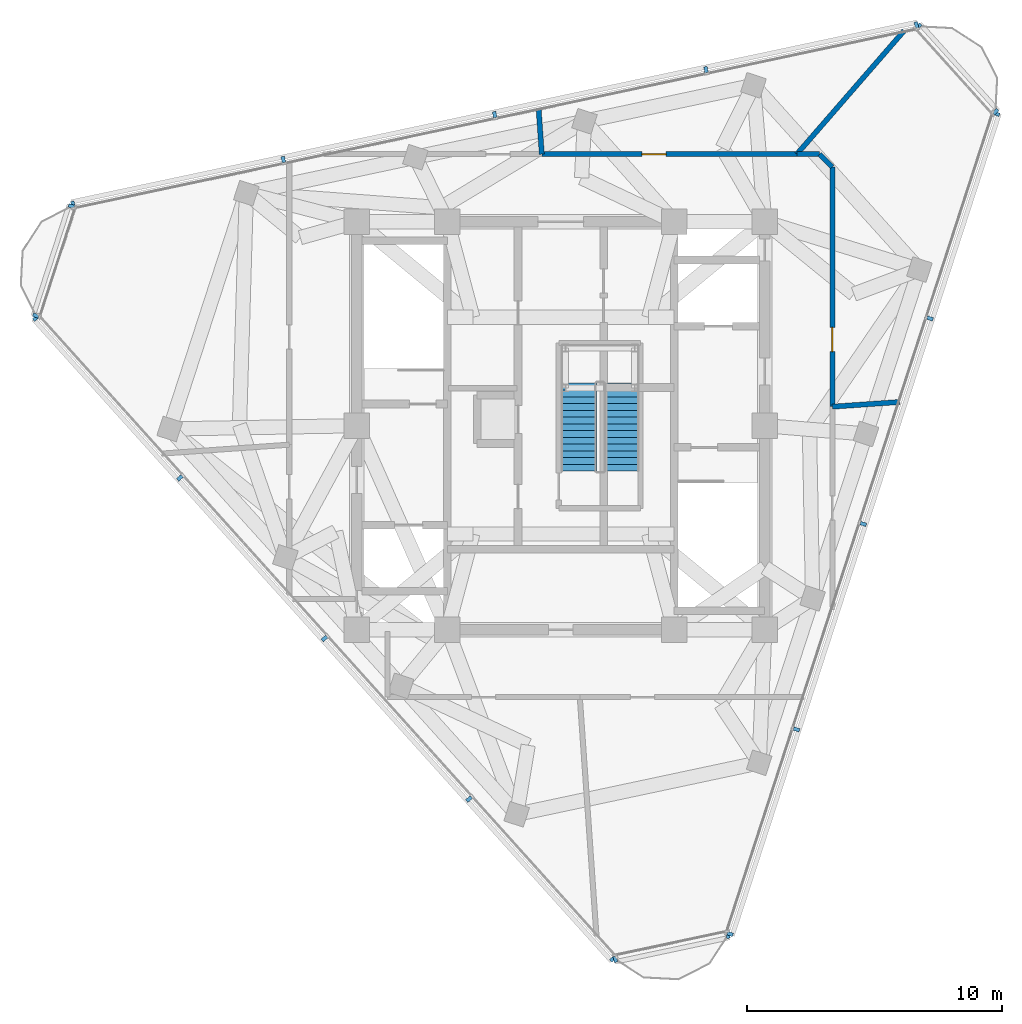
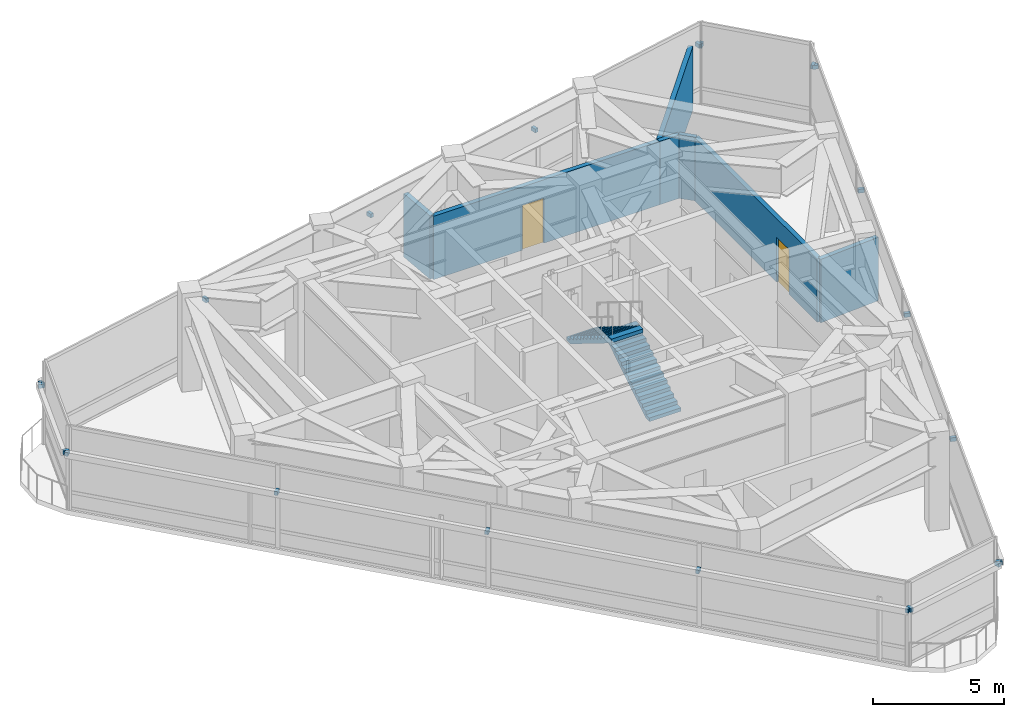
# One storey, part 8 of 11: 21 discrete accessories, 7 walls, 2 doors, 2 stair flights, 2 openings, 1 element without a shape of its own.
"""IFC4 building model written with IfcOpenShell, lengths in metres."""

from ifc_helpers import new_model, si_unit, direction, frame, frame_2d, origin, origin_2d, place, context, subcontext, project, spatial, polyline, rectangle, outline, extrude, material, layer, layer_set, type_object, element, fill, aggregate, save


model = new_model("IFC4")

# Units and contexts
model_context = context("Model", 3, precision=1e-05, world=origin(), true_north=direction((0.0, 1.0)))
body_context = subcontext(model_context, "Body", "Model", "MODEL_VIEW")
ifc_project = project(units=[si_unit("LENGTHUNIT", "METRE"), si_unit("AREAUNIT", "SQUARE_METRE"), si_unit("VOLUMEUNIT", "CUBIC_METRE"), si_unit("PLANEANGLEUNIT", "RADIAN"), si_unit("MASSUNIT", "GRAM", prefix="KILO")], contexts=[model_context])

# Site, building, storey
site_placement = place(None, origin())
site = spatial("IfcSite", under=ifc_project, at=site_placement, CompositionType="ELEMENT")
building_placement = place(site_placement, origin())
building = spatial("IfcBuilding", under=site, at=building_placement, Name="Terralouvre Media Tower", CompositionType="ELEMENT")
storey_placement = place(building_placement, frame((0.0, 0.0, 322.0)))
storey = spatial("IfcBuildingStorey", under=building, at=storey_placement, Name="L83", CompositionType="ELEMENT", Elevation=322.0)

# Wall, opening, door
ifc_material_1 = material(Name="Fire-rated gypsum board drywall partition")
ifc_layer = layer(ifc_material_1, 0.199951171875, Name="Fire-Rated Shaft and Lobby Partition FW-200")
ifc_layer_set = layer_set([ifc_layer], Name="Fire-rated gypsum board drywall partition")
wall_type = type_object("IfcWallType", Name="Fire-Rated Shaft and Lobby Partition FW-200", PredefinedType="SOLIDWALL", material=ifc_layer_set)
wall_1_placement = place(storey_placement, frame((10.64990234375, 0.7451171875, 0.0), z_axis=(0.0, 0.0, 1.0), x_axis=(0.0, 1.0, 0.0)))
wall_1 = element("IfcWall", 1, at=wall_1_placement, inside=storey, type_object=wall_type, Name="L83 Interior Partition 007", PredefinedType="SOLIDWALL", context=body_context, shape_type="SweptSolid", body=[
    extrude(rectangle(XDim=9.40478515625, YDim=0.199951171875, at=frame_2d((4.702392578125, 0.0))), origin(), (0.0, 0.0, 1.0), 2.965087890625),
])
opening_1_placement = place(wall_1_placement, frame((2.158447265625, 0.0, 0.0)))
opening_1 = element("IfcOpeningElement", 2, at=opening_1_placement, cuts=wall_1, Name="Opening FD-02-95X210", PredefinedType="OPENING", context=body_context, shape_type="SweptSolid", body=[
    extrude(rectangle(XDim=0.949951171875, YDim=2.10009765625, at=frame_2d((0.47509765625, 1.050048828125))), frame((0.0, 0.10986328125, 0.0), z_axis=(0.0, -1.0, 0.0), x_axis=(1.0, 0.0, 0.0)), (0.0, 0.0, 1.0), 0.219970703125),
])
ifc_material_2 = material(Name="Galvanised steel fire-resisting leaf", Category="steel")
door_type = type_object("IfcDoorType", Name="Plant and Riser Fire Door FD-02 (950x2100)", OperationType="NOTDEFINED", PredefinedType="DOOR", material=ifc_material_2)
door_1_placement = place(opening_1_placement, origin())
door_1 = element("IfcDoor", 3, at=door_1_placement, inside=storey, type_object=door_type, Name="L83 L83 Broadcast Uplink Transmitter Cooling Plant Room Door", OperationType="SINGLE_SWING_RIGHT", OverallHeight=2.10009765625, OverallWidth=0.949951171875, PredefinedType="DOOR", context=body_context, shape_type="SweptSolid", body=[
    extrude(rectangle(XDim=0.949951171875, YDim=2.10009765625, at=frame_2d((0.47509765625, 1.050048828125))), frame((0.0, 0.02490234375, 0.0), z_axis=(0.0, -1.0, 0.0), x_axis=(1.0, 0.0, 0.0)), (0.0, 0.0, 1.0), 0.050048828125),
])
fill(opening_1, door_1)

# Walls
wall_2_placement = place(storey_placement, frame((10.64990234375, 10.14990234375, 0.0), z_axis=(0.0, 0.0, 1.0), x_axis=(-0.707106781187, 0.707106781187, 0.0)))
element("IfcWall", 4, at=wall_2_placement, inside=storey, type_object=wall_type, Name="L83 Interior Partition 008", PredefinedType="SOLIDWALL", context=body_context, shape_type="SweptSolid", body=[
    extrude(rectangle(XDim=0.70703125, YDim=0.199951171875, at=frame_2d((0.353515625, 0.0))), origin(), (0.0, 0.0, 1.0), 2.965087890625),
])
wall_3_placement = place(storey_placement, frame((10.14990234375, 10.64990234375, 0.0), z_axis=(0.0, 0.0, 1.0), x_axis=(-1.0, 0.0, 0.0)))
element("IfcWall", 5, at=wall_3_placement, inside=storey, type_object=wall_type, Name="L83 Interior Partition 009", PredefinedType="SOLIDWALL", context=body_context, shape_type="SweptSolid", body=[
    extrude(rectangle(XDim=0.891845703125, YDim=0.199951171875, at=frame_2d((0.44580078125, 0.0))), origin(), (0.0, 0.0, 1.0), 2.965087890625),
])

# Wall, opening, door
wall_4_placement = place(storey_placement, frame((9.258056640625, 10.64990234375, 0.0), z_axis=(0.0, 0.0, 1.0), x_axis=(-1.0, 0.0, 0.0)))
wall_4 = element("IfcWall", 6, at=wall_4_placement, inside=storey, type_object=wall_type, Name="L83 Interior Partition 010", PredefinedType="SOLIDWALL", context=body_context, shape_type="SweptSolid", body=[
    extrude(rectangle(XDim=10.003173828125, YDim=0.199951171875, at=frame_2d((5.00146484375, 0.0))), origin(), (0.0, 0.0, 1.0), 2.965087890625),
])
opening_2_placement = place(wall_4_placement, frame((5.126708984375, 0.0, 0.0)))
opening_2 = element("IfcOpeningElement", 7, at=opening_2_placement, cuts=wall_4, Name="Opening FD-02-95X210", PredefinedType="OPENING", context=body_context, shape_type="SweptSolid", body=[
    extrude(rectangle(XDim=0.949951171875, YDim=2.10009765625, at=frame_2d((0.47509765625, 1.050048828125))), frame((0.0, 0.10986328125, 0.0), z_axis=(0.0, -1.0, 0.0), x_axis=(1.0, 0.0, 0.0)), (0.0, 0.0, 1.0), 0.219970703125),
])
door_2_placement = place(opening_2_placement, origin())
door_2 = element("IfcDoor", 8, at=door_2_placement, inside=storey, type_object=door_type, Name="L83 L83 Microwave Relay UPS Battery Plant Room Door", OperationType="SINGLE_SWING_LEFT", OverallHeight=2.10009765625, OverallWidth=0.949951171875, PredefinedType="DOOR", context=body_context, shape_type="SweptSolid", body=[
    extrude(rectangle(XDim=0.949951171875, YDim=2.10009765625, at=frame_2d((0.47509765625, 1.050048828125))), frame((0.0, 0.02490234375, 0.0), z_axis=(0.0, -1.0, 0.0), x_axis=(1.0, 0.0, 0.0)), (0.0, 0.0, 1.0), 0.050048828125),
])
fill(opening_2, door_2)

# Walls
wall_5_placement = place(storey_placement, frame((13.294189453125, 0.929931640625, 0.0), z_axis=(0.0, 0.0, 1.0), x_axis=(-0.997566467823, -0.069721892359, 0.0)))
element("IfcWall", 9, at=wall_5_placement, inside=storey, type_object=wall_type, Name="L83 Interior Partition 015", PredefinedType="SOLIDWALL", context=body_context, shape_type="SweptSolid", body=[
    extrude(rectangle(XDim=2.650634765625, YDim=0.199951171875, at=frame_2d((1.3251953125, 0.0))), origin(), (0.0, 0.0, 1.0), 2.965087890625),
])
wall_6_placement = place(storey_placement, frame((13.469482421875, 15.4951171875, 0.0), z_axis=(0.0, 0.0, 1.0), x_axis=(-0.656018638206, -0.754744689498, 0.0)))
element("IfcWall", 10, at=wall_6_placement, inside=storey, type_object=wall_type, Name="L83 Interior Partition 016", PredefinedType="SOLIDWALL", context=body_context, shape_type="SweptSolid", body=[
    extrude(rectangle(XDim=6.419677734375, YDim=0.199951171875, at=frame_2d((3.2099609375, 0.0))), origin(), (0.0, 0.0, 1.0), 2.965087890625),
])
wall_7_placement = place(storey_placement, frame((-0.870849609375, 12.447021484375, 0.0), z_axis=(0.0, 0.0, 1.0), x_axis=(0.069792715716, -0.997561515313, 0.0)))
element("IfcWall", 11, at=wall_7_placement, inside=storey, type_object=wall_type, Name="L83 Interior Partition 017", PredefinedType="SOLIDWALL", context=body_context, shape_type="SweptSolid", body=[
    extrude(rectangle(XDim=1.801513671875, YDim=0.199951171875, at=frame_2d((0.90087890625, 0.0))), origin(), (0.0, 0.0, 1.0), 2.965087890625),
])

# Stair, stair flights
ifc_material_3 = material(Name="Concrete C45/55", Category="concrete")
stair_type = type_object("IfcStairType", Name="Dogleg Stair Assembly ST-05", PredefinedType="HALF_TURN_STAIR", material=ifc_material_3)
stair_placement = place(storey_placement, origin())
stair = element("IfcStair", 12, at=stair_placement, inside=storey, type_object=stair_type, Name="L83 Crown Maintenance Stair ST-05", PredefinedType="HALF_TURN_STAIR")
ifc_material_4 = material(Name="Concrete C45/55", Category="concrete")
stair_flight_type = type_object("IfcStairFlightType", Name="Reinforced Concrete Stair Flight SF-RC1", PredefinedType="STRAIGHT", material=ifc_material_4)
stair_flight_1_placement = place(storey_placement, frame((2.3798828125, -1.780029296875, 0.0), z_axis=(0.0, 0.0, 1.0), x_axis=(0.0, 1.0, 0.0)))
stair_flight_1 = element("IfcStairFlight", 13, at=stair_flight_1_placement, type_object=stair_flight_type, Name="ST-05 flight 1", NumberOfRisers=14, NumberOfTreads=13, PredefinedType="STRAIGHT", RiserHeight=0.164285714, TreadLength=0.265, context=body_context, shape_type="SweptSolid", body=[
    extrude(outline(polyline([(0.0, 0.0), (0.0, 0.164306640625), (0.264892578125, 0.164306640625), (0.264892578125, 0.32861328125), (0.530029296875, 0.32861328125), (0.530029296875, 0.492919921875), (0.794921875, 0.492919921875), (0.794921875, 0.6572265625), (1.06005859375, 0.6572265625), (1.06005859375, 0.821533203125), (1.324951171875, 0.821533203125), (1.324951171875, 0.985595703125), (1.590087890625, 0.985595703125), (1.590087890625, 1.14990234375), (1.85498046875, 1.14990234375), (1.85498046875, 1.314208984375), (2.1201171875, 1.314208984375), (2.1201171875, 1.478515625), (2.385009765625, 1.478515625), (2.385009765625, 1.642822265625), (2.64990234375, 1.642822265625), (2.64990234375, 1.80712890625), (2.9150390625, 1.80712890625), (2.9150390625, 1.971435546875), (3.179931640625, 1.971435546875), (3.179931640625, 2.1357421875), (3.445068359375, 2.1357421875), (3.445068359375, 2.300048828125), (3.445068359375, 1.959228515625), (0.284423828125, 0.0), (0.0, 0.0)])), frame((0.0, 0.699951171875, 0.0), z_axis=(0.0, -1.0, 0.0), x_axis=(1.0, 0.0, 0.0)), (0.0, 0.0, 1.0), 1.39990234375),
])
stair_flight_2_placement = place(storey_placement, frame((0.699951171875, 1.6650390625, 2.300048828125), z_axis=(0.0, 0.0, 1.0), x_axis=(0.0, -1.0, 0.0)))
stair_flight_2 = element("IfcStairFlight", 14, at=stair_flight_2_placement, type_object=stair_flight_type, Name="ST-05 flight 2", NumberOfRisers=14, NumberOfTreads=13, PredefinedType="STRAIGHT", RiserHeight=0.164285714, TreadLength=0.265, context=body_context, shape_type="SweptSolid", body=[
    extrude(outline(polyline([(0.0, 0.0), (0.0, 0.164306640625), (0.264892578125, 0.164306640625), (0.264892578125, 0.32861328125), (0.530029296875, 0.32861328125), (0.530029296875, 0.492919921875), (0.794921875, 0.492919921875), (0.794921875, 0.6572265625), (1.06005859375, 0.6572265625), (1.06005859375, 0.821533203125), (1.324951171875, 0.821533203125), (1.324951171875, 0.985595703125), (1.590087890625, 0.985595703125), (1.590087890625, 1.14990234375), (1.85498046875, 1.14990234375), (1.85498046875, 1.314208984375), (2.1201171875, 1.314208984375), (2.1201171875, 1.478515625), (2.385009765625, 1.478515625), (2.385009765625, 1.642822265625), (2.64990234375, 1.642822265625), (2.64990234375, 1.80712890625), (2.9150390625, 1.80712890625), (2.9150390625, 1.971435546875), (3.179931640625, 1.971435546875), (3.179931640625, 2.1357421875), (3.445068359375, 2.1357421875), (3.445068359375, 2.300048828125), (3.445068359375, 1.959228515625), (0.284423828125, 0.0), (0.0, 0.0)])), frame((0.0, 0.699951171875, 0.0), z_axis=(0.0, -1.0, 0.0), x_axis=(1.0, 0.0, 0.0)), (0.0, 0.0, 1.0), 1.39990234375),
])
aggregate(stair, [stair_flight_1, stair_flight_2])

# Discrete accessories
ifc_material_5 = material(Name="Anodised extruded aluminium 6063-T6", Category="aluminium")
discrete_accessory_type = type_object("IfcDiscreteAccessoryType", Name="Mullion Stand-Off Baguette Fixing Bracket BK-01", PredefinedType="BRACKET", material=ifc_material_5)
for number, where, z_axis, x_axis, name in (
    (15, (6.63916015625, -19.940185546875, 2.61962890625), (0.0, 0.0, 1.0), (0.30901679585, 0.9510565808, 0.0), "CW-L83-F0 Baguette Outrigger Bracket 1.01"),
    (16, (9.24658203125, -11.91552734375, 2.61962890625), (0.0, 0.0, 1.0), (0.30901679585, 0.9510565808, 0.0), "CW-L83-F0 Baguette Outrigger Bracket 1.02"),
    (17, (11.865478515625, -3.855224609375, 2.61962890625), (0.0, 0.0, 1.0), (0.30901679585, 0.9510565808, 0.0), "CW-L83-F0 Baguette Outrigger Bracket 1.03"),
    (18, (14.484375, 4.204833984375, 2.61962890625), (0.0, 0.0, 1.0), (0.30901679585, 0.9510565808, 0.0), "CW-L83-F0 Baguette Outrigger Bracket 1.04"),
    (19, (17.091796875, 12.2294921875, 2.61962890625), (0.0, 0.0, 1.0), (0.30901679585, 0.9510565808, 0.0), "CW-L83-F0 Baguette Outrigger Bracket 1.05"),
    (20, (13.948974609375, 15.7197265625, 2.61962890625), (0.0, 0.0, 1.0), (-0.978147633966, -0.207911534473, 0.0), "CW-L83-F1 Baguette Outrigger Bracket 1.01"),
    (21, (5.69580078125, 13.965576171875, 2.61962890625), (0.0, 0.0, 1.0), (-0.978147633966, -0.207911534473, 0.0), "CW-L83-F1 Baguette Outrigger Bracket 1.02"),
    (22, (-2.593994140625, 12.203369140625, 2.61962890625), (0.0, 0.0, 1.0), (-0.978147633966, -0.207911534473, 0.0), "CW-L83-F1 Baguette Outrigger Bracket 1.03"),
    (23, (-10.8837890625, 10.44140625, 2.61962890625), (0.0, 0.0, 1.0), (-0.978147633966, -0.207911534473, 0.0), "CW-L83-F1 Baguette Outrigger Bracket 1.04"),
    (24, (-19.136962890625, 8.687255859375, 2.61962890625), (0.0, 0.0, 1.0), (-0.978147633966, -0.207911534473, 0.0), "CW-L83-F1 Baguette Outrigger Bracket 1.05"),
    (25, (-20.588134765625, 4.22021484375, 2.61962890625), (0.0, 0.0, 1.0), (0.669130640069, -0.743144795125, 0.0), "CW-L83-F2 Baguette Outrigger Bracket 1.01"),
    (26, (-14.9423828125, -2.050048828125, 2.61962890625), (0.0, 0.0, 1.0), (0.669130640069, -0.743144795125, 0.0), "CW-L83-F2 Baguette Outrigger Bracket 1.02"),
    (27, (-9.271484375, -8.34814453125, 2.61962890625), (0.0, 0.0, 1.0), (0.669130640069, -0.743144795125, 0.0), "CW-L83-F2 Baguette Outrigger Bracket 1.03"),
    (28, (-3.6005859375, -14.646240234375, 2.61962890625), (0.0, 0.0, 1.0), (0.669130640069, -0.743144795125, 0.0), "CW-L83-F2 Baguette Outrigger Bracket 1.04"),
    (29, (2.045166015625, -20.91650390625, 2.61962890625), (0.0, 0.0, 1.0), (0.669130640069, -0.743144795125, 0.0), "CW-L83-F2 Baguette Outrigger Bracket 1.05"),
    (30, (2.140869140625, -20.929443359375, 2.61962890625), (0.0, 0.0, 1.0), (0.97814770891, 0.207911181887, 0.0), "CW-L83-C0 Baguette Outrigger Bracket 1.01"),
    (31, (6.55712890625, -19.99072265625, 2.61962890625), (0.0, 0.0, 1.0), (0.97814770891, 0.207911181887, 0.0), "CW-L83-C0 Baguette Outrigger Bracket 1.02"),
    (32, (17.054931640625, 12.318603515625, 2.61962890625), (0.0, 0.0, 1.0), (-0.66913178706, 0.743143762368, 0.0), "CW-L83-C1 Baguette Outrigger Bracket 1.01"),
    (33, (14.033935546875, 15.673828125, 2.61962890625), (0.0, 0.0, 1.0), (-0.66913178706, 0.743143762368, 0.0), "CW-L83-C1 Baguette Outrigger Bracket 1.02"),
    (34, (-19.19580078125, 8.61083984375, 2.61962890625), (0.0, 0.0, 1.0), (-0.309017890708, -0.951056225058, 0.0), "CW-L83-C2 Baguette Outrigger Bracket 1.01"),
    (35, (-20.591064453125, 4.31689453125, 2.61962890625), (0.0, 0.0, 1.0), (-0.309017890708, -0.951056225058, 0.0), "CW-L83-C2 Baguette Outrigger Bracket 1.02"),
):
    element("IfcDiscreteAccessory", number, at=place(storey_placement, frame(where, z_axis=z_axis, x_axis=x_axis)), inside=storey, type_object=discrete_accessory_type, Name=name, PredefinedType="BRACKET", context=body_context, shape_type="SweptSolid", body=[
        extrude(rectangle(XDim=0.139892578125, YDim=0.239990234375, at=origin_2d()), origin(), (0.0, 0.0, 1.0), 0.179931640625),
    ])

save(model, "model.ifc")
